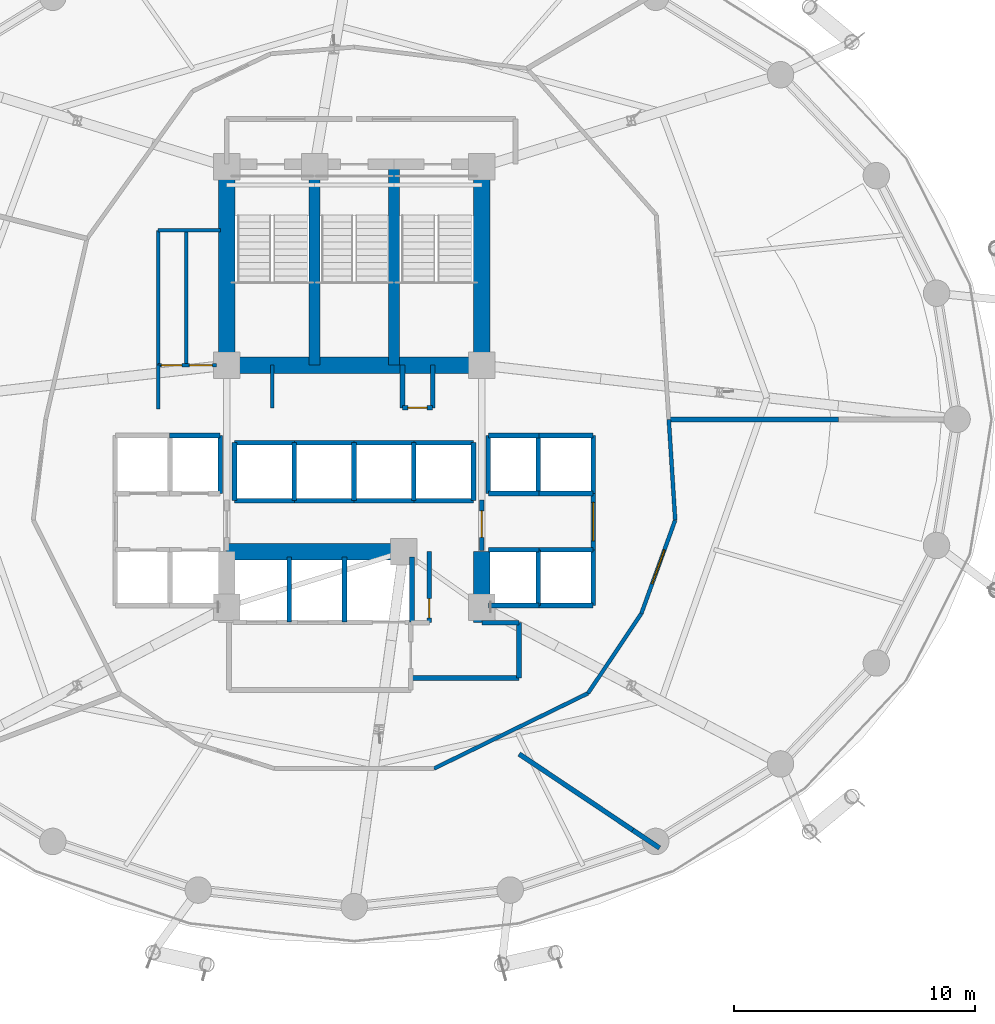
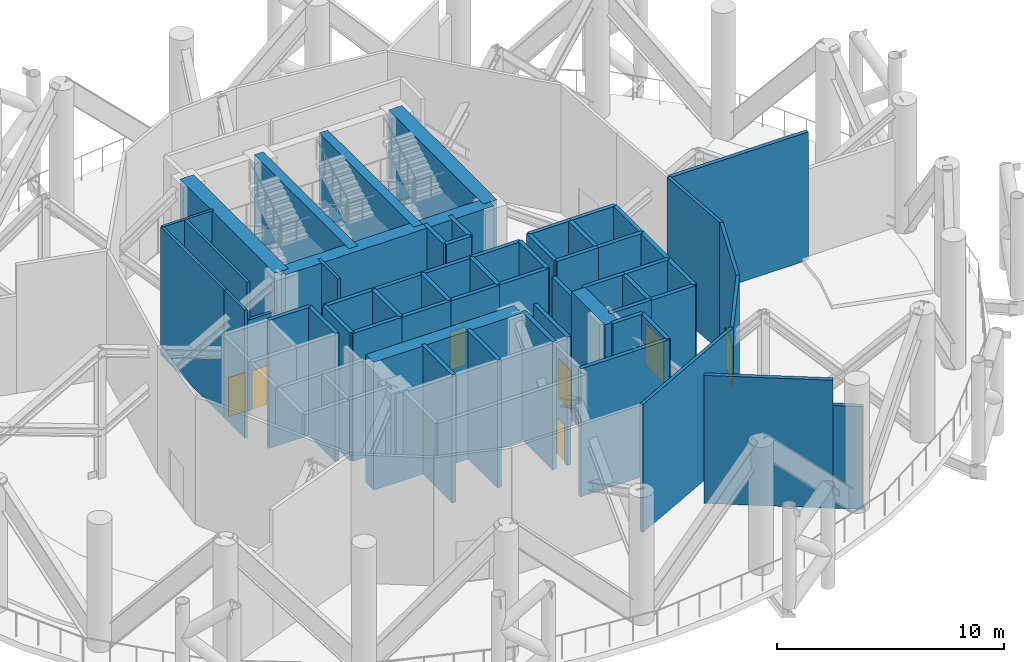
# One storey, part 9 of 19: 60 walls, 7 doors, 7 openings.
"""IFC4 building model written with IfcOpenShell, lengths in metres."""

from ifc_helpers import new_model, si_unit, direction, frame, frame_2d, origin, place, context, subcontext, project, spatial, rectangle, extrude, material, layer, layer_set, type_object, element, fill, save


model = new_model("IFC4")

# Units and contexts
model_context = context("Model", 3, precision=1e-05, world=origin(), true_north=direction((0.0, 1.0)))
body_context = subcontext(model_context, "Body", "Model", "MODEL_VIEW")
ifc_project = project(units=[si_unit("LENGTHUNIT", "METRE"), si_unit("AREAUNIT", "SQUARE_METRE"), si_unit("VOLUMEUNIT", "CUBIC_METRE"), si_unit("PLANEANGLEUNIT", "RADIAN"), si_unit("MASSUNIT", "GRAM", prefix="KILO")], contexts=[model_context])

# Site, building, storey
site_placement = place(None, origin())
site = spatial("IfcSite", under=ifc_project, at=site_placement, CompositionType="ELEMENT")
building_placement = place(site_placement, origin())
building = spatial("IfcBuilding", under=site, at=building_placement, Name="Nuhasar Tower", CompositionType="ELEMENT")
storey_placement = place(building_placement, frame((0.0, 0.0, 106.050048828125)))
storey = spatial("IfcBuildingStorey", under=building, at=storey_placement, Name="L25", CompositionType="ELEMENT", Elevation=106.050048828125)

# Walls
ifc_material_1 = material(Name="Concrete C50/60", Category="concrete")
ifc_layer_1 = layer(ifc_material_1, 0.449951171875)
ifc_layer_set_1 = layer_set([ifc_layer_1], Name="Concrete C50/60")
wall_type_1 = type_object("IfcWallType", Name="WL-CORE-450", PredefinedType="SHEAR", material=ifc_layer_set_1)
for number, where, z_axis, x_axis, name in (
    (1, (37.35009765625, 29.050048828125, 0.0), (0.0, 0.0, 1.0), (0.0, 1.0, 0.0), "L25 Stairwell Shear Wall ST01-E"),
    (2, (40.64990234375, 29.050048828125, 0.0), (0.0, 0.0, 1.0), (0.0, 1.0, 0.0), "L25 Stairwell Shear Wall ST03-E"),
):
    element("IfcWall", number, at=place(storey_placement, frame(where, z_axis=z_axis, x_axis=x_axis)), inside=storey, type_object=wall_type_1, Name=name, PredefinedType="SHEAR", context=body_context, shape_type="SweptSolid", body=[
        extrude(rectangle(XDim=8.349853515625, YDim=0.449951171875, at=frame_2d((4.1748046875, 0.0))), origin(), (0.0, 0.0, 1.0), 6.8798828125),
    ])
ifc_material_2 = material(Name="Concrete C65/80", Category="concrete")
ifc_layer_2 = layer(ifc_material_2, 0.699951171875)
ifc_layer_set_2 = layer_set([ifc_layer_2], Name="Concrete C65/80")
wall_type_2 = type_object("IfcWallType", Name="WL-CORE-700", PredefinedType="SHEAR", material=ifc_layer_set_2)
for number, where, z_axis, x_axis, name in (
    (3, (33.699951171875, 29.050048828125, 0.0), (0.0, 0.0, 1.0), (0.0, 1.0, 0.0), "L25 Core Shear Wall CW-NW CW-700"),
    (4, (44.300048828125, 29.050048828125, 0.0), (0.0, 0.0, 1.0), (0.0, 1.0, 0.0), "L25 Core Shear Wall CW-NE CW-700"),
):
    element("IfcWall", number, at=place(storey_placement, frame(where, z_axis=z_axis, x_axis=x_axis)), inside=storey, type_object=wall_type_2, Name=name, PredefinedType="SHEAR", context=body_context, shape_type="SweptSolid", body=[
        extrude(rectangle(XDim=8.349853515625, YDim=0.699951171875, at=frame_2d((4.1748046875, 0.0))), origin(), (0.0, 0.0, 1.0), 6.8798828125),
    ])
wall_1_placement = place(storey_placement, frame((44.300048828125, 18.35009765625, 0.0), z_axis=(0.0, 0.0, 1.0), x_axis=(0.0, 1.0, 0.0)))
element("IfcWall", 5, at=wall_1_placement, inside=storey, type_object=wall_type_2, Name="L25 Core Shear Wall CW-SE CW-700", PredefinedType="SHEAR", context=body_context, shape_type="SweptSolid", body=[
    extrude(rectangle(XDim=2.949951171875, YDim=0.699951171875, at=frame_2d((1.47509765625, 0.0))), origin(), (0.0, 0.0, 1.0), 6.8798828125),
])
wall_2_placement = place(storey_placement, frame((33.699951171875, 29.050048828125, 0.0), z_axis=(0.0, 0.0, 1.0), x_axis=(1.0, 0.0, 0.0)))
element("IfcWall", 6, at=wall_2_placement, inside=storey, type_object=wall_type_2, Name="L25 Core Shear Wall CW-N1 CW-700", PredefinedType="SHEAR", context=body_context, shape_type="SweptSolid", body=[
    extrude(rectangle(XDim=10.60009765625, YDim=0.699951171875, at=frame_2d((5.300048828125, 0.0))), origin(), (0.0, 0.0, 1.0), 6.8798828125),
])
wall_3_placement = place(storey_placement, frame((33.699951171875, 21.300048828125, 0.0), z_axis=(0.0, 0.0, 1.0), x_axis=(1.0, 0.0, 0.0)))
element("IfcWall", 7, at=wall_3_placement, inside=storey, type_object=wall_type_2, Name="L25 Core Shear Wall CW-S1 CW-700", PredefinedType="SHEAR", context=body_context, shape_type="SweptSolid", body=[
    extrude(rectangle(XDim=7.550048828125, YDim=0.699951171875, at=frame_2d((3.77490234375, 0.0))), origin(), (0.0, 0.0, 1.0), 6.8798828125),
])
ifc_material_3 = material(Name="Gypsum Board", Category="gypsum")
ifc_layer_3 = layer(ifc_material_3, 0.159912109375)
ifc_layer_set_3 = layer_set([ifc_layer_3], Name="Gypsum Board")
wall_type_3 = type_object("IfcWallType", Name="WL-CORR-160", PredefinedType="PARTITIONING", material=ifc_layer_set_3)
wall_4_placement = place(storey_placement, frame((42.318115234375, 12.2919921875, 0.0), z_axis=(0.0, 0.0, 1.0), x_axis=(0.898437278598, 0.439101874768, 0.0)))
element("IfcWall", 8, at=wall_4_placement, inside=storey, type_object=wall_type_3, Name="L25 Interior Partition CORR-38", PredefinedType="PARTITIONING", context=body_context, shape_type="SweptSolid", body=[
    extrude(rectangle(XDim=7.119140625, YDim=0.159912109375, at=frame_2d((3.5595703125, 0.0))), origin(), (0.0, 0.0, 1.0), 6.8798828125),
])
wall_5_placement = place(storey_placement, frame((48.714111328125, 15.41796875, 0.0), z_axis=(0.0, 0.0, 1.0), x_axis=(0.556056751682, 0.831144324958, 0.0)))
element("IfcWall", 9, at=wall_5_placement, inside=storey, type_object=wall_type_3, Name="L25 Interior Partition CORR-42", PredefinedType="PARTITIONING", context=body_context, shape_type="SweptSolid", body=[
    extrude(rectangle(XDim=3.98486328125, YDim=0.159912109375, at=frame_2d((1.992431640625, 0.0))), origin(), (0.0, 0.0, 1.0), 6.8798828125),
])

# Wall, opening, door
wall_6_placement = place(storey_placement, frame((52.3369140625, 22.614013671875, 0.0), z_axis=(0.0, 0.0, 1.0), x_axis=(-0.34058972089, -0.940212019719, 0.0)))
wall_6 = element("IfcWall", 10, at=wall_6_placement, inside=storey, type_object=wall_type_3, Name="L25 Interior Partition CORR-44", PredefinedType="PARTITIONING", context=body_context, shape_type="SweptSolid", body=[
    extrude(rectangle(XDim=4.131103515625, YDim=0.159912109375, at=frame_2d((2.0654296875, 0.0))), origin(), (0.0, 0.0, 1.0), 6.8798828125),
])
opening_1_placement = place(wall_6_placement, frame((1.31494140625, 0.0, 0.0)))
opening_1 = element("IfcOpeningElement", 11, at=opening_1_placement, cuts=wall_6, Name="Opening DP-01", PredefinedType="OPENING", context=body_context, shape_type="SweptSolid", body=[
    extrude(rectangle(XDim=1.5, YDim=2.199951171875, at=frame_2d((0.75, 1.10009765625))), frame((0.0, 0.08984375, 0.0), z_axis=(0.0, -1.0, 0.0), x_axis=(1.0, 0.0, 0.0)), (0.0, 0.0, 1.0), 0.179931640625),
])
ifc_material_4 = material(Name="Steel S355", Category="steel")
door_type_1 = type_object("IfcDoorType", Name="DR-PLANT-FD120-1500", OperationType="DOUBLE_DOOR_SINGLE_SWING", PredefinedType="DOOR", material=ifc_material_4)
door_1_placement = place(opening_1_placement, origin())
door_1 = element("IfcDoor", 12, at=door_1_placement, inside=storey, type_object=door_type_1, Name="L25 South-East Electrical Switchgear Plant Door", OperationType="DOUBLE_DOOR_SINGLE_SWING", OverallHeight=2.199951171875, OverallWidth=1.5, PredefinedType="DOOR", context=body_context, shape_type="SweptSolid", body=[
    extrude(rectangle(XDim=1.5, YDim=2.199951171875, at=frame_2d((0.75, 1.10009765625))), frame((0.0, 0.02490234375, 0.0), z_axis=(0.0, -1.0, 0.0), x_axis=(1.0, 0.0, 0.0)), (0.0, 0.0, 1.0), 0.050048828125),
])
fill(opening_1, door_1)

# Wall
wall_7_placement = place(storey_placement, frame((52.3369140625, 22.614013671875, 0.0), z_axis=(0.0, 0.0, 1.0), x_axis=(-0.063617518313, 0.997974354061, 0.0)))
element("IfcWall", 13, at=wall_7_placement, inside=storey, type_object=wall_type_3, Name="L25 Interior Partition CORR-46", PredefinedType="PARTITIONING", context=body_context, shape_type="SweptSolid", body=[
    extrude(rectangle(XDim=4.194580078125, YDim=0.159912109375, at=frame_2d((2.09716796875, 0.0))), origin(), (0.0, 0.0, 1.0), 6.8798828125),
])

# Wall, opening, door
ifc_material_5 = material(Name="Concrete C45/55", Category="concrete")
ifc_layer_4 = layer(ifc_material_5, 0.199951171875)
ifc_layer_set_4 = layer_set([ifc_layer_4], Name="Concrete C45/55")
wall_type_4 = type_object("IfcWallType", Name="WL-LOBBY-200", PredefinedType="SOLIDWALL", material=ifc_layer_set_4)
wall_8_placement = place(storey_placement, frame((48.929931640625, 21.3798828125, 0.0), z_axis=(0.0, 0.0, 1.0), x_axis=(0.0, 1.0, 0.0)))
wall_8 = element("IfcWall", 14, at=wall_8_placement, inside=storey, type_object=wall_type_4, Name="L25 Interior Partition LLBM-E", PredefinedType="SOLIDWALL", context=body_context, shape_type="SweptSolid", body=[
    extrude(rectangle(XDim=2.340087890625, YDim=0.199951171875, at=frame_2d((1.169921875, 0.0))), origin(), (0.0, 0.0, 1.0), 6.8798828125),
])
opening_2_placement = place(wall_8_placement, frame((0.3701171875, 0.0, 0.0)))
opening_2 = element("IfcOpeningElement", 15, at=opening_2_placement, cuts=wall_8, Name="Opening DC-01", PredefinedType="OPENING", context=body_context, shape_type="SweptSolid", body=[
    extrude(rectangle(XDim=1.60009765625, YDim=2.199951171875, at=frame_2d((0.800048828125, 1.10009765625))), frame((0.0, 0.10986328125, 0.0), z_axis=(0.0, -1.0, 0.0), x_axis=(1.0, 0.0, 0.0)), (0.0, 0.0, 1.0), 0.219970703125),
])
door_type_2 = type_object("IfcDoorType", Name="DR-CORR-FD60-1600", OperationType="DOUBLE_DOOR_SINGLE_SWING", PredefinedType="DOOR", material=ifc_material_4)
door_2_placement = place(opening_2_placement, origin())
door_2 = element("IfcDoor", 16, at=door_2_placement, inside=storey, type_object=door_type_2, Name="L25 Mid-Rise Lift Lobby East Entry", OperationType="DOUBLE_DOOR_SINGLE_SWING", OverallHeight=2.199951171875, OverallWidth=1.60009765625, PredefinedType="DOOR", context=body_context, shape_type="SweptSolid", body=[
    extrude(rectangle(XDim=1.60009765625, YDim=2.199951171875, at=frame_2d((0.800048828125, 1.10009765625))), frame((0.0, 0.02490234375, 0.0), z_axis=(0.0, -1.0, 0.0), x_axis=(1.0, 0.0, 0.0)), (0.0, 0.0, 1.0), 0.050048828125),
])
fill(opening_2, door_2)

wall_9_placement = place(storey_placement, frame((44.300048828125, 21.35009765625, 0.0), z_axis=(0.0, 0.0, 1.0), x_axis=(0.0, 1.0, 0.0)))
wall_9 = element("IfcWall", 17, at=wall_9_placement, inside=storey, type_object=wall_type_4, Name="L25 Interior Partition LLBH-E", PredefinedType="SOLIDWALL", context=body_context, shape_type="SweptSolid", body=[
    extrude(rectangle(XDim=2.099853515625, YDim=0.199951171875, at=frame_2d((1.0498046875, 0.0))), origin(), (0.0, 0.0, 1.0), 6.264892578125),
])
opening_3_placement = place(wall_9_placement, frame((0.550048828125, 0.0, 0.0)))
opening_3 = element("IfcOpeningElement", 18, at=opening_3_placement, cuts=wall_9, Name="Opening DS-02", PredefinedType="OPENING", context=body_context, shape_type="SweptSolid", body=[
    extrude(rectangle(XDim=1.10009765625, YDim=2.14990234375, at=frame_2d((0.550048828125, 1.074951171875))), frame((0.0, 0.10986328125, 0.0), z_axis=(0.0, -1.0, 0.0), x_axis=(1.0, 0.0, 0.0)), (0.0, 0.0, 1.0), 0.219970703125),
])
door_type_3 = type_object("IfcDoorType", Name="DR-FFL-FD120-1100", OperationType="NOTDEFINED", PredefinedType="DOOR", material=ifc_material_4)
door_3_placement = place(opening_3_placement, origin())
door_3 = element("IfcDoor", 19, at=door_3_placement, inside=storey, type_object=door_type_3, Name="L25 High-Rise Lobby East Door", OperationType="SINGLE_SWING_RIGHT", OverallHeight=2.14990234375, OverallWidth=1.10009765625, PredefinedType="DOOR", context=body_context, shape_type="SweptSolid", body=[
    extrude(rectangle(XDim=1.10009765625, YDim=2.14990234375, at=frame_2d((0.550048828125, 1.074951171875))), frame((0.0, 0.02490234375, 0.0), z_axis=(0.0, -1.0, 0.0), x_axis=(1.0, 0.0, 0.0)), (0.0, 0.0, 1.0), 0.050048828125),
])
fill(opening_3, door_3)

# Walls
wall_10_placement = place(storey_placement, frame((41.35009765625, 16.050048828125, 0.0), z_axis=(0.0, 0.0, 1.0), x_axis=(1.0, 0.0, 0.0)))
element("IfcWall", 20, at=wall_10_placement, inside=storey, type_object=wall_type_4, Name="L25 Interior Partition SVLV-S", PredefinedType="SOLIDWALL", context=body_context, shape_type="SweptSolid", body=[
    extrude(rectangle(XDim=4.5, YDim=0.199951171875, at=frame_2d((2.25, 0.0))), origin(), (0.0, 0.0, 1.0), 6.8798828125),
])
wall_11_placement = place(storey_placement, frame((45.85009765625, 16.050048828125, 0.0), z_axis=(0.0, 0.0, 1.0), x_axis=(0.0, 1.0, 0.0)))
element("IfcWall", 21, at=wall_11_placement, inside=storey, type_object=wall_type_4, Name="L25 Interior Partition SVLV-E", PredefinedType="SOLIDWALL", context=body_context, shape_type="SweptSolid", body=[
    extrude(rectangle(XDim=2.300048828125, YDim=0.199951171875, at=frame_2d((1.14990234375, 0.0))), origin(), (0.0, 0.0, 1.0), 6.8798828125),
])
wall_12_placement = place(storey_placement, frame((44.300048828125, 18.35009765625, 0.0), z_axis=(0.0, 0.0, 1.0), x_axis=(1.0, 0.0, 0.0)))
element("IfcWall", 22, at=wall_12_placement, inside=storey, type_object=wall_type_4, Name="L25 Interior Partition SVLV-N", PredefinedType="SOLIDWALL", context=body_context, shape_type="SweptSolid", body=[
    extrude(rectangle(XDim=1.550048828125, YDim=0.199951171875, at=frame_2d((0.77490234375, 0.0))), origin(), (0.0, 0.0, 1.0), 6.8798828125),
])
wall_13_placement = place(storey_placement, frame((52.070068359375, 26.800048828125, 0.0), z_axis=(0.0, 0.0, 1.0), x_axis=(1.0, 0.0, 0.0)))
element("IfcWall", 23, at=wall_13_placement, inside=storey, type_object=wall_type_4, Name="L25 Interior Partition WRAD-00", PredefinedType="SOLIDWALL", context=body_context, shape_type="SweptSolid", body=[
    extrude(rectangle(XDim=7.052001953125, YDim=0.199951171875, at=frame_2d((3.52587890625, 0.0))), origin(), (0.0, 0.0, 1.0), 6.8798828125),
])
wall_14_placement = place(storey_placement, frame((45.85205078125, 12.89501953125, 0.0), z_axis=(0.0, 0.0, 1.0), x_axis=(0.830898487363, -0.55642403228, 0.0)))
element("IfcWall", 24, at=wall_14_placement, inside=storey, type_object=wall_type_4, Name="L25 Interior Partition WRAD-40", PredefinedType="SOLIDWALL", context=body_context, shape_type="SweptSolid", body=[
    extrude(rectangle(XDim=5.682861328125, YDim=0.199951171875, at=frame_2d((2.84130859375, 0.0))), origin(), (0.0, 0.0, 1.0), 6.8798828125),
])
wall_15_placement = place(storey_placement, frame((50.573974609375, 9.73291015625, 0.0), z_axis=(0.0, 0.0, 1.0), x_axis=(0.830838472421, -0.556513641113, 0.0)))
element("IfcWall", 25, at=wall_15_placement, inside=storey, type_object=wall_type_4, Name="L25 Interior Partition WRAD-40", PredefinedType="SOLIDWALL", context=body_context, shape_type="SweptSolid", body=[
    extrude(rectangle(XDim=1.3349609375, YDim=0.199951171875, at=frame_2d((0.66748046875, 0.0))), origin(), (0.0, 0.0, 1.0), 5.530029296875),
])
ifc_layer_5 = layer(ifc_material_5, 0.199951171875)
ifc_layer_set_5 = layer_set([ifc_layer_5], Name="Concrete C45/55")
wall_type_5 = type_object("IfcWallType", Name="WL-SHAFT-200", PredefinedType="SOLIDWALL", material=ifc_layer_set_5)
for number, where, z_axis, x_axis, name in (
    (26, (41.0, 27.280029296875, 0.0), (0.0, 0.0, 1.0), (0.0, 1.0, 0.0), "L25 Interior Partition RSRN-W"),
    (27, (42.260009765625, 27.280029296875, 0.0), (0.0, 0.0, 1.0), (0.0, 1.0, 0.0), "L25 Interior Partition RSRN-E"),
):
    element("IfcWall", number, at=place(storey_placement, frame(where, z_axis=z_axis, x_axis=x_axis)), inside=storey, type_object=wall_type_5, Name=name, PredefinedType="SOLIDWALL", context=body_context, shape_type="SweptSolid", body=[
        extrude(rectangle(XDim=1.77001953125, YDim=0.199951171875, at=frame_2d((0.885009765625, 0.0))), origin(), (0.0, 0.0, 1.0), 6.8798828125),
    ])

# Wall, opening, door
wall_16_placement = place(storey_placement, frame((41.0, 27.280029296875, 0.0), z_axis=(0.0, 0.0, 1.0), x_axis=(1.0, 0.0, 0.0)))
wall_16 = element("IfcWall", 28, at=wall_16_placement, inside=storey, type_object=wall_type_5, Name="L25 Interior Partition RSRN-S", PredefinedType="SOLIDWALL", context=body_context, shape_type="SweptSolid", body=[
    extrude(rectangle(XDim=1.260009765625, YDim=0.199951171875, at=frame_2d((0.6298828125, 0.0))), origin(), (0.0, 0.0, 1.0), 6.8798828125),
])
opening_4_placement = place(wall_16_placement, frame((0.22998046875, 0.0, 0.0)))
opening_4 = element("IfcOpeningElement", 29, at=opening_4_placement, cuts=wall_16, Name="Opening DM-01", PredefinedType="OPENING", context=body_context, shape_type="SweptSolid", body=[
    extrude(rectangle(XDim=0.800048828125, YDim=2.050048828125, at=frame_2d((0.39990234375, 1.02490234375))), frame((0.0, 0.10986328125, 0.0), z_axis=(0.0, -1.0, 0.0), x_axis=(1.0, 0.0, 0.0)), (0.0, 0.0, 1.0), 0.219970703125),
])
door_type_4 = type_object("IfcDoorType", Name="DR-RISER-FD60-800", OperationType="NOTDEFINED", PredefinedType="DOOR", material=ifc_material_4)
door_4_placement = place(opening_4_placement, origin())
door_4 = element("IfcDoor", 30, at=door_4_placement, inside=storey, type_object=door_type_4, Name="L25 North Smoke Riser Door", OperationType="SINGLE_SWING_RIGHT", OverallHeight=2.050048828125, OverallWidth=0.800048828125, PredefinedType="DOOR", context=body_context, shape_type="SweptSolid", body=[
    extrude(rectangle(XDim=0.800048828125, YDim=2.050048828125, at=frame_2d((0.39990234375, 1.02490234375))), frame((0.0, 0.02490234375, 0.0), z_axis=(0.0, -1.0, 0.0), x_axis=(1.0, 0.0, 0.0)), (0.0, 0.0, 1.0), 0.050048828125),
])
fill(opening_4, door_4)

# Walls
wall_17_placement = place(storey_placement, frame((31.320068359375, 26.1298828125, 0.0), z_axis=(0.0, 0.0, 1.0), x_axis=(1.0, 0.0, 0.0)))
element("IfcWall", 31, at=wall_17_placement, inside=storey, type_object=wall_type_5, Name="L25 Interior Partition SHF-PL-L02-N", PredefinedType="SOLIDWALL", context=body_context, shape_type="SweptSolid", body=[
    extrude(rectangle(XDim=2.10986328125, YDim=0.199951171875, at=frame_2d((1.054931640625, 0.0))), origin(), (0.0, 0.0, 1.0), 6.8798828125),
])
wall_18_placement = place(storey_placement, frame((33.429931640625, 23.719970703125, 0.0), z_axis=(0.0, 0.0, 1.0), x_axis=(0.0, 1.0, 0.0)))
element("IfcWall", 32, at=wall_18_placement, inside=storey, type_object=wall_type_5, Name="L25 Interior Partition SHF-PL-L02-E", PredefinedType="SOLIDWALL", context=body_context, shape_type="SweptSolid", body=[
    extrude(rectangle(XDim=2.409912109375, YDim=0.199951171875, at=frame_2d((1.205078125, 0.0))), origin(), (0.0, 0.0, 1.0), 6.8798828125),
])
for number, where, z_axis, x_axis, name in (
    (33, (44.570068359375, 23.719970703125, 0.0), (0.0, 0.0, 1.0), (1.0, 0.0, 0.0), "L25 Interior Partition SHF-PL-M01-S"),
    (34, (44.570068359375, 26.1298828125, 0.0), (0.0, 0.0, 1.0), (1.0, 0.0, 0.0), "L25 Interior Partition SHF-PL-M01-N"),
):
    element("IfcWall", number, at=place(storey_placement, frame(where, z_axis=z_axis, x_axis=x_axis)), inside=storey, type_object=wall_type_5, Name=name, PredefinedType="SOLIDWALL", context=body_context, shape_type="SweptSolid", body=[
        extrude(rectangle(XDim=2.10986328125, YDim=0.199951171875, at=frame_2d((1.054931640625, 0.0))), origin(), (0.0, 0.0, 1.0), 6.8798828125),
    ])
for number, where, z_axis, x_axis, name in (
    (35, (44.570068359375, 23.719970703125, 0.0), (0.0, 0.0, 1.0), (0.0, 1.0, 0.0), "L25 Interior Partition SHF-PL-M01-W"),
    (36, (46.64990234375, 23.719970703125, 0.0), (0.0, 0.0, 1.0), (0.0, 1.0, 0.0), "L25 Interior Partition SHF-PL-M01-E"),
):
    element("IfcWall", number, at=place(storey_placement, frame(where, z_axis=z_axis, x_axis=x_axis)), inside=storey, type_object=wall_type_5, Name=name, PredefinedType="SOLIDWALL", context=body_context, shape_type="SweptSolid", body=[
        extrude(rectangle(XDim=2.409912109375, YDim=0.199951171875, at=frame_2d((1.205078125, 0.0))), origin(), (0.0, 0.0, 1.0), 6.8798828125),
    ])
for number, where, z_axis, x_axis, name in (
    (37, (46.6201171875, 23.719970703125, 0.0), (0.0, 0.0, 1.0), (1.0, 0.0, 0.0), "L25 Interior Partition SHF-PL-M02-S"),
    (38, (46.6201171875, 26.1298828125, 0.0), (0.0, 0.0, 1.0), (1.0, 0.0, 0.0), "L25 Interior Partition SHF-PL-M02-N"),
):
    element("IfcWall", number, at=place(storey_placement, frame(where, z_axis=z_axis, x_axis=x_axis)), inside=storey, type_object=wall_type_5, Name=name, PredefinedType="SOLIDWALL", context=body_context, shape_type="SweptSolid", body=[
        extrude(rectangle(XDim=2.309814453125, YDim=0.199951171875, at=frame_2d((1.15478515625, 0.0))), origin(), (0.0, 0.0, 1.0), 6.8798828125),
    ])
wall_19_placement = place(storey_placement, frame((48.929931640625, 23.719970703125, 0.0), z_axis=(0.0, 0.0, 1.0), x_axis=(0.0, 1.0, 0.0)))
element("IfcWall", 39, at=wall_19_placement, inside=storey, type_object=wall_type_5, Name="L25 Interior Partition SHF-PL-M02-E", PredefinedType="SOLIDWALL", context=body_context, shape_type="SweptSolid", body=[
    extrude(rectangle(XDim=2.409912109375, YDim=0.199951171875, at=frame_2d((1.205078125, 0.0))), origin(), (0.0, 0.0, 1.0), 6.8798828125),
])
for number, where, z_axis, x_axis, name in (
    (40, (44.570068359375, 19.070068359375, 0.0), (0.0, 0.0, 1.0), (1.0, 0.0, 0.0), "L25 Interior Partition SHF-PL-M03-S"),
    (41, (44.570068359375, 21.3798828125, 0.0), (0.0, 0.0, 1.0), (1.0, 0.0, 0.0), "L25 Interior Partition SHF-PL-M03-N"),
):
    element("IfcWall", number, at=place(storey_placement, frame(where, z_axis=z_axis, x_axis=x_axis)), inside=storey, type_object=wall_type_5, Name=name, PredefinedType="SOLIDWALL", context=body_context, shape_type="SweptSolid", body=[
        extrude(rectangle(XDim=2.10986328125, YDim=0.199951171875, at=frame_2d((1.054931640625, 0.0))), origin(), (0.0, 0.0, 1.0), 6.8798828125),
    ])
for number, where, z_axis, x_axis, name in (
    (42, (46.64990234375, 19.070068359375, 0.0), (0.0, 0.0, 1.0), (0.0, 1.0, 0.0), "L25 Interior Partition SHF-PL-M03-E"),
    (43, (46.6201171875, 19.070068359375, 0.0), (0.0, 0.0, 1.0), (1.0, 0.0, 0.0), "L25 Interior Partition SHF-PL-M04-S"),
    (44, (46.6201171875, 21.3798828125, 0.0), (0.0, 0.0, 1.0), (1.0, 0.0, 0.0), "L25 Interior Partition SHF-PL-M04-N"),
    (45, (48.929931640625, 19.070068359375, 0.0), (0.0, 0.0, 1.0), (0.0, 1.0, 0.0), "L25 Interior Partition SHF-PL-M04-E"),
):
    element("IfcWall", number, at=place(storey_placement, frame(where, z_axis=z_axis, x_axis=x_axis)), inside=storey, type_object=wall_type_5, Name=name, PredefinedType="SOLIDWALL", context=body_context, shape_type="SweptSolid", body=[
        extrude(rectangle(XDim=2.309814453125, YDim=0.199951171875, at=frame_2d((1.15478515625, 0.0))), origin(), (0.0, 0.0, 1.0), 6.8798828125),
    ])
for number, where, z_axis, x_axis, name in (
    (46, (34.02001953125, 23.419921875, 0.0), (0.0, 0.0, 1.0), (1.0, 0.0, 0.0), "L25 Interior Partition SHF-PL-H01-S"),
    (47, (34.02001953125, 25.830078125, 0.0), (0.0, 0.0, 1.0), (1.0, 0.0, 0.0), "L25 Interior Partition SHF-PL-H01-N"),
):
    element("IfcWall", number, at=place(storey_placement, frame(where, z_axis=z_axis, x_axis=x_axis)), inside=storey, type_object=wall_type_5, Name=name, PredefinedType="SOLIDWALL", context=body_context, shape_type="SweptSolid", body=[
        extrude(rectangle(XDim=2.5, YDim=0.199951171875, at=frame_2d((1.25, 0.0))), origin(), (0.0, 0.0, 1.0), 6.8798828125),
    ])
for number, where, z_axis, x_axis, name in (
    (48, (34.02001953125, 23.419921875, 0.0), (0.0, 0.0, 1.0), (0.0, 1.0, 0.0), "L25 Interior Partition SHF-PL-H01-W"),
    (49, (36.510009765625, 23.419921875, 0.0), (0.0, 0.0, 1.0), (0.0, 1.0, 0.0), "L25 Interior Partition SHF-PL-H01-E"),
):
    element("IfcWall", number, at=place(storey_placement, frame(where, z_axis=z_axis, x_axis=x_axis)), inside=storey, type_object=wall_type_5, Name=name, PredefinedType="SOLIDWALL", context=body_context, shape_type="SweptSolid", body=[
        extrude(rectangle(XDim=2.41015625, YDim=0.199951171875, at=frame_2d((1.205078125, 0.0))), origin(), (0.0, 0.0, 1.0), 6.8798828125),
    ])
for number, where, z_axis, x_axis, name in (
    (50, (36.5, 23.419921875, 0.0), (0.0, 0.0, 1.0), (1.0, 0.0, 0.0), "L25 Interior Partition SHF-PL-H02-S"),
    (51, (36.5, 25.830078125, 0.0), (0.0, 0.0, 1.0), (1.0, 0.0, 0.0), "L25 Interior Partition SHF-PL-H02-N"),
):
    element("IfcWall", number, at=place(storey_placement, frame(where, z_axis=z_axis, x_axis=x_axis)), inside=storey, type_object=wall_type_5, Name=name, PredefinedType="SOLIDWALL", context=body_context, shape_type="SweptSolid", body=[
        extrude(rectangle(XDim=2.5, YDim=0.199951171875, at=frame_2d((1.25, 0.0))), origin(), (0.0, 0.0, 1.0), 6.8798828125),
    ])
wall_20_placement = place(storey_placement, frame((38.989990234375, 23.419921875, 0.0), z_axis=(0.0, 0.0, 1.0), x_axis=(0.0, 1.0, 0.0)))
element("IfcWall", 52, at=wall_20_placement, inside=storey, type_object=wall_type_5, Name="L25 Interior Partition SHF-PL-H02-E", PredefinedType="SOLIDWALL", context=body_context, shape_type="SweptSolid", body=[
    extrude(rectangle(XDim=2.41015625, YDim=0.199951171875, at=frame_2d((1.205078125, 0.0))), origin(), (0.0, 0.0, 1.0), 6.8798828125),
])
for number, where, z_axis, x_axis, name in (
    (53, (38.97998046875, 23.419921875, 0.0), (0.0, 0.0, 1.0), (1.0, 0.0, 0.0), "L25 Interior Partition SHF-PL-H03-S"),
    (54, (38.97998046875, 25.830078125, 0.0), (0.0, 0.0, 1.0), (1.0, 0.0, 0.0), "L25 Interior Partition SHF-PL-H03-N"),
):
    element("IfcWall", number, at=place(storey_placement, frame(where, z_axis=z_axis, x_axis=x_axis)), inside=storey, type_object=wall_type_5, Name=name, PredefinedType="SOLIDWALL", context=body_context, shape_type="SweptSolid", body=[
        extrude(rectangle(XDim=2.5, YDim=0.199951171875, at=frame_2d((1.25, 0.0))), origin(), (0.0, 0.0, 1.0), 6.8798828125),
    ])
wall_21_placement = place(storey_placement, frame((41.469970703125, 23.419921875, 0.0), z_axis=(0.0, 0.0, 1.0), x_axis=(0.0, 1.0, 0.0)))
element("IfcWall", 55, at=wall_21_placement, inside=storey, type_object=wall_type_5, Name="L25 Interior Partition SHF-PL-H03-E", PredefinedType="SOLIDWALL", context=body_context, shape_type="SweptSolid", body=[
    extrude(rectangle(XDim=2.41015625, YDim=0.199951171875, at=frame_2d((1.205078125, 0.0))), origin(), (0.0, 0.0, 1.0), 6.8798828125),
])
for number, where, z_axis, x_axis, name in (
    (56, (41.4599609375, 23.419921875, 0.0), (0.0, 0.0, 1.0), (1.0, 0.0, 0.0), "L25 Interior Partition SHF-PL-H04-S"),
    (57, (41.4599609375, 25.830078125, 0.0), (0.0, 0.0, 1.0), (1.0, 0.0, 0.0), "L25 Interior Partition SHF-PL-H04-N"),
):
    element("IfcWall", number, at=place(storey_placement, frame(where, z_axis=z_axis, x_axis=x_axis)), inside=storey, type_object=wall_type_5, Name=name, PredefinedType="SOLIDWALL", context=body_context, shape_type="SweptSolid", body=[
        extrude(rectangle(XDim=2.5, YDim=0.199951171875, at=frame_2d((1.25, 0.0))), origin(), (0.0, 0.0, 1.0), 6.8798828125),
    ])
wall_22_placement = place(storey_placement, frame((43.9599609375, 23.419921875, 0.0), z_axis=(0.0, 0.0, 1.0), x_axis=(0.0, 1.0, 0.0)))
element("IfcWall", 58, at=wall_22_placement, inside=storey, type_object=wall_type_5, Name="L25 Interior Partition SHF-PL-H04-E", PredefinedType="SOLIDWALL", context=body_context, shape_type="SweptSolid", body=[
    extrude(rectangle(XDim=2.41015625, YDim=0.199951171875, at=frame_2d((1.205078125, 0.0))), origin(), (0.0, 0.0, 1.0), 6.8798828125),
])
for number, where, z_axis, x_axis, name in (
    (59, (36.300048828125, 18.3701171875, 0.0), (0.0, 0.0, 1.0), (0.0, 1.0, 0.0), "L25 Interior Partition SHF-FFL-01-E"),
    (60, (38.60009765625, 18.3701171875, 0.0), (0.0, 0.0, 1.0), (0.0, 1.0, 0.0), "L25 Interior Partition SHF-FFL-02-E"),
    (61, (41.39990234375, 18.3701171875, 0.0), (0.0, 0.0, 1.0), (0.0, 1.0, 0.0), "L25 Interior Partition SHF-SVL-01-E"),
):
    element("IfcWall", number, at=place(storey_placement, frame(where, z_axis=z_axis, x_axis=x_axis)), inside=storey, type_object=wall_type_5, Name=name, PredefinedType="SOLIDWALL", context=body_context, shape_type="SweptSolid", body=[
        extrude(rectangle(XDim=2.7099609375, YDim=0.199951171875, at=frame_2d((1.35498046875, 0.0))), origin(), (0.0, 0.0, 1.0), 6.8798828125),
    ])

# Wall, opening, door
wall_23_placement = place(storey_placement, frame((42.1201171875, 18.35009765625, 0.0), z_axis=(0.0, 0.0, 1.0), x_axis=(0.0, 1.0, 0.0)))
wall_23 = element("IfcWall", 62, at=wall_23_placement, inside=storey, type_object=wall_type_5, Name="L25 Interior Partition RSR-E", PredefinedType="SOLIDWALL", context=body_context, shape_type="SweptSolid", body=[
    extrude(rectangle(XDim=2.949951171875, YDim=0.199951171875, at=frame_2d((1.47509765625, 0.0))), origin(), (0.0, 0.0, 1.0), 6.8798828125),
])
opening_5_placement = place(wall_23_placement, frame((0.199951171875, 0.0, 0.0)))
opening_5 = element("IfcOpeningElement", 63, at=opening_5_placement, cuts=wall_23, Name="Opening DM-01", PredefinedType="OPENING", context=body_context, shape_type="SweptSolid", body=[
    extrude(rectangle(XDim=0.800048828125, YDim=2.050048828125, at=frame_2d((0.39990234375, 1.02490234375))), frame((0.0, 0.10986328125, 0.0), z_axis=(0.0, -1.0, 0.0), x_axis=(1.0, 0.0, 0.0)), (0.0, 0.0, 1.0), 0.219970703125),
])
door_5_placement = place(opening_5_placement, origin())
door_5 = element("IfcDoor", 64, at=door_5_placement, inside=storey, type_object=door_type_4, Name="L25 MEP Riser Access Door", OperationType="SINGLE_SWING_LEFT", OverallHeight=2.050048828125, OverallWidth=0.800048828125, PredefinedType="DOOR", context=body_context, shape_type="SweptSolid", body=[
    extrude(rectangle(XDim=0.800048828125, YDim=2.050048828125, at=frame_2d((0.39990234375, 1.02490234375))), frame((0.0, 0.02490234375, 0.0), z_axis=(0.0, -1.0, 0.0), x_axis=(1.0, 0.0, 0.0)), (0.0, 0.0, 1.0), 0.050048828125),
])
fill(opening_5, door_5)

# Walls
ifc_material_6 = material(Name="Concrete C40/50 precast", Category="concrete")
ifc_layer_6 = layer(ifc_material_6, 0.139892578125)
ifc_layer_set_6 = layer_set([ifc_layer_6], Name="Concrete C40/50 precast")
wall_type_6 = type_object("IfcWallType", Name="WL-WET-140", PredefinedType="PARTITIONING", material=ifc_layer_set_6)
wall_24_placement = place(storey_placement, frame((35.60009765625, 27.280029296875, 0.0), z_axis=(0.0, 0.0, 1.0), x_axis=(0.0, 1.0, 0.0)))
element("IfcWall", 65, at=wall_24_placement, inside=storey, type_object=wall_type_6, Name="L25 Interior Partition CSVC-W", PredefinedType="PARTITIONING", context=body_context, shape_type="SweptSolid", body=[
    extrude(rectangle(XDim=1.77001953125, YDim=0.139892578125, at=frame_2d((0.885009765625, 0.0))), origin(), (0.0, 0.0, 1.0), 6.8798828125),
])
wall_25_placement = place(storey_placement, frame((30.85009765625, 27.239990234375, 0.0), z_axis=(0.0, 0.0, 1.0), x_axis=(0.0, 1.0, 0.0)))
element("IfcWall", 66, at=wall_25_placement, inside=storey, type_object=wall_type_6, Name="L25 Interior Partition K2-FOY-W", PredefinedType="PARTITIONING", context=body_context, shape_type="SweptSolid", body=[
    extrude(rectangle(XDim=1.81005859375, YDim=0.139892578125, at=frame_2d((0.905029296875, 0.0))), origin(), (0.0, 0.0, 1.0), 6.8798828125),
])

# Wall, openings, doors
wall_26_placement = place(storey_placement, frame((30.85009765625, 29.050048828125, 0.0), z_axis=(0.0, 0.0, 1.0), x_axis=(1.0, 0.0, 0.0)))
wall_26 = element("IfcWall", 67, at=wall_26_placement, inside=storey, type_object=wall_type_6, Name="L25 Interior Partition K2-NW-S", PredefinedType="PARTITIONING", context=body_context, shape_type="SweptSolid", body=[
    extrude(rectangle(XDim=2.429931640625, YDim=0.139892578125, at=frame_2d((1.21484375, 0.0))), origin(), (0.0, 0.0, 1.0), 4.8798828125),
])
opening_6_placement = place(wall_26_placement, frame((0.139892578125, 0.0, 0.0)))
opening_6 = element("IfcOpeningElement", 68, at=opening_6_placement, cuts=wall_26, Name="Opening DB-01", PredefinedType="OPENING", context=body_context, shape_type="SweptSolid", body=[
    extrude(rectangle(XDim=0.85009765625, YDim=2.10009765625, at=frame_2d((0.425048828125, 1.050048828125))), frame((0.0, 0.080078125, 0.0), z_axis=(0.0, -1.0, 0.0), x_axis=(1.0, 0.0, 0.0)), (0.0, 0.0, 1.0), 0.159912109375),
])
opening_7_placement = place(wall_26_placement, frame((1.300048828125, 0.0, 0.0)))
opening_7 = element("IfcOpeningElement", 69, at=opening_7_placement, cuts=wall_26, Name="Opening DA-01", PredefinedType="OPENING", context=body_context, shape_type="SweptSolid", body=[
    extrude(rectangle(XDim=0.949951171875, YDim=2.10009765625, at=frame_2d((0.47509765625, 1.050048828125))), frame((0.0, 0.080078125, 0.0), z_axis=(0.0, -1.0, 0.0), x_axis=(1.0, 0.0, 0.0)), (0.0, 0.0, 1.0), 0.159912109375),
])
ifc_material_7 = material(Name="Timber Oak", Category="wood")
door_type_5 = type_object("IfcDoorType", Name="DR-ACCWC-950", OperationType="NOTDEFINED", PredefinedType="DOOR", material=ifc_material_7)
door_6_placement = place(opening_7_placement, origin())
door_6 = element("IfcDoor", 70, at=door_6_placement, inside=storey, type_object=door_type_5, Name="L25 NW Accessible WC Door", OperationType="SINGLE_SWING_RIGHT", OverallHeight=2.10009765625, OverallWidth=0.949951171875, PredefinedType="DOOR", context=body_context, shape_type="SweptSolid", body=[
    extrude(rectangle(XDim=0.949951171875, YDim=2.10009765625, at=frame_2d((0.47509765625, 1.050048828125))), frame((0.0, 0.02490234375, 0.0), z_axis=(0.0, -1.0, 0.0), x_axis=(1.0, 0.0, 0.0)), (0.0, 0.0, 1.0), 0.050048828125),
])
fill(opening_7, door_6)
door_type_6 = type_object("IfcDoorType", Name="DR-BATH-850", OperationType="NOTDEFINED", PredefinedType="DOOR", material=ifc_material_7)
door_7_placement = place(opening_6_placement, origin())
door_7 = element("IfcDoor", 71, at=door_7_placement, inside=storey, type_object=door_type_6, Name="L25 NW Female WC Door", OperationType="SINGLE_SWING_LEFT", OverallHeight=2.10009765625, OverallWidth=0.85009765625, PredefinedType="DOOR", context=body_context, shape_type="SweptSolid", body=[
    extrude(rectangle(XDim=0.85009765625, YDim=2.10009765625, at=frame_2d((0.425048828125, 1.050048828125))), frame((0.0, 0.02490234375, 0.0), z_axis=(0.0, -1.0, 0.0), x_axis=(1.0, 0.0, 0.0)), (0.0, 0.0, 1.0), 0.050048828125),
])
fill(opening_6, door_7)

# Walls
wall_27_placement = place(storey_placement, frame((32.02001953125, 29.050048828125, 0.0), z_axis=(0.0, 0.0, 1.0), x_axis=(0.0, 1.0, 0.0)))
element("IfcWall", 72, at=wall_27_placement, inside=storey, type_object=wall_type_6, Name="L25 Interior Partition K2-NW-V", PredefinedType="PARTITIONING", context=body_context, shape_type="SweptSolid", body=[
    extrude(rectangle(XDim=5.599853515625, YDim=0.139892578125, at=frame_2d((2.7998046875, 0.0))), origin(), (0.0, 0.0, 1.0), 6.8798828125),
])
wall_28_placement = place(storey_placement, frame((30.85009765625, 34.64990234375, 0.0), z_axis=(0.0, 0.0, 1.0), x_axis=(1.0, 0.0, 0.0)))
element("IfcWall", 73, at=wall_28_placement, inside=storey, type_object=wall_type_6, Name="L25 Interior Partition K2-NW-N", PredefinedType="PARTITIONING", context=body_context, shape_type="SweptSolid", body=[
    extrude(rectangle(XDim=2.599853515625, YDim=0.139892578125, at=frame_2d((1.2998046875, 0.0))), origin(), (0.0, 0.0, 1.0), 6.8798828125),
])
wall_29_placement = place(storey_placement, frame((30.85009765625, 29.050048828125, 0.0), z_axis=(0.0, 0.0, 1.0), x_axis=(0.0, 1.0, 0.0)))
element("IfcWall", 74, at=wall_29_placement, inside=storey, type_object=wall_type_6, Name="L25 Interior Partition K2-NW-W", PredefinedType="PARTITIONING", context=body_context, shape_type="SweptSolid", body=[
    extrude(rectangle(XDim=5.599853515625, YDim=0.139892578125, at=frame_2d((2.7998046875, 0.0))), origin(), (0.0, 0.0, 1.0), 6.8798828125),
])

save(model, "model.ifc")
